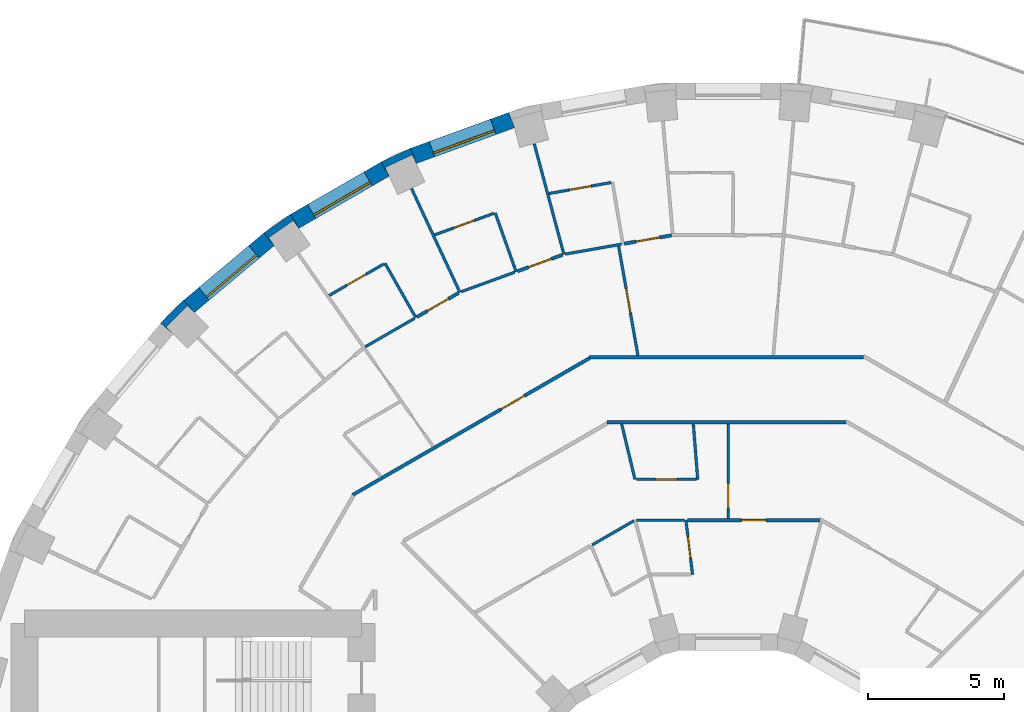
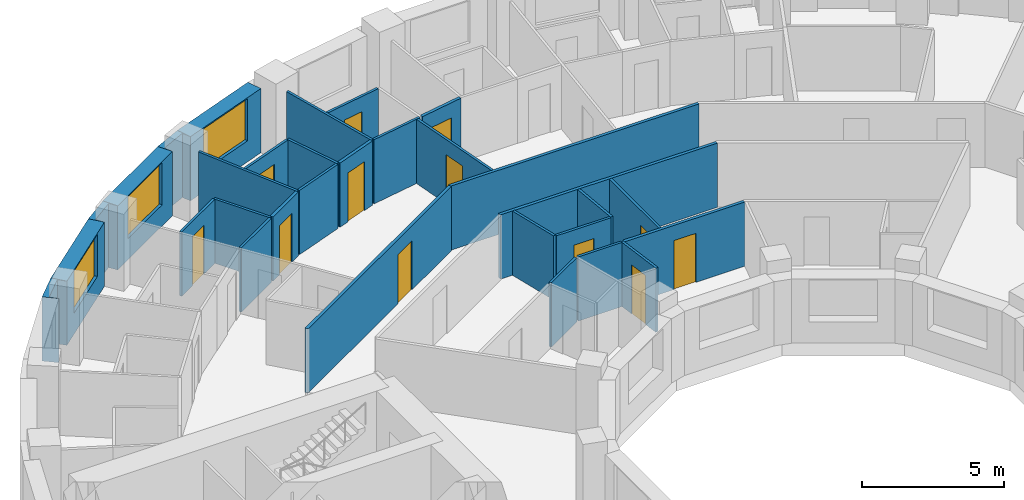
# One storey, part 11 of 15: 31 walls, 12 doors, 3 windows, 15 openings.
"""IFC4 building model written with IfcOpenShell, lengths in metres."""

from ifc_helpers import new_model, si_unit, direction, frame, frame_2d, origin, place, context, subcontext, project, spatial, polyline, rectangle, outline, extrude, material, layer, layer_set, type_object, element, fill, save


model = new_model("IFC4")

# Units and contexts
model_context = context("Model", 3, precision=1e-05, world=origin(), true_north=direction((0.0, 1.0)))
body_context = subcontext(model_context, "Body", "Model", "MODEL_VIEW")
ifc_project = project(units=[si_unit("LENGTHUNIT", "METRE"), si_unit("AREAUNIT", "SQUARE_METRE"), si_unit("VOLUMEUNIT", "CUBIC_METRE"), si_unit("PLANEANGLEUNIT", "RADIAN"), si_unit("MASSUNIT", "GRAM", prefix="KILO")], contexts=[model_context])

# Site, building, storey
site_placement = place(None, origin())
site = spatial("IfcSite", under=ifc_project, at=site_placement, CompositionType="ELEMENT")
building_placement = place(site_placement, origin())
building = spatial("IfcBuilding", under=site, at=building_placement, Name="Saqina Gate Tower", CompositionType="ELEMENT")
storey_placement = place(building_placement, frame((0.0, 0.0, 69.199951171875)))
storey = spatial("IfcBuildingStorey", under=building, at=storey_placement, Name="L19", CompositionType="ELEMENT", Elevation=69.199951171875)

# Walls
ifc_material_1 = material(Name="Brick masonry (red)", Category="masonry")
wall_type_1 = type_object("IfcWallType", Name="BRICK PIER COPING RED", PredefinedType="SOLIDWALL", material=ifc_material_1)
wall_1_placement = place(storey_placement, origin())
element("IfcWall", 1, at=wall_1_placement, inside=storey, type_object=wall_type_1, Name="Pier cap L19 column 12", PredefinedType="SOLIDWALL", context=body_context, shape_type="SweptSolid", body=[
    extrude(outline(polyline([(-12.779541015625, 25.980712890625), (-12.4794921875, 25.4609375), (-12.627685546875, 25.778564453125), (-11.630615234375, 26.243408203125), (-11.482666015625, 25.92578125), (-11.687744140625, 26.48974609375), (-12.779541015625, 25.980712890625)])), origin(), (0.0, 0.0, 1.0), 2.75),
])
wall_2_placement = place(storey_placement, origin())
element("IfcWall", 2, at=wall_2_placement, inside=storey, type_object=wall_type_1, Name="Pier cap L19 column 13", PredefinedType="SOLIDWALL", context=body_context, shape_type="SweptSolid", body=[
    extrude(outline(polyline([(-16.110107421875, 24.0576171875), (-17.096923828125, 23.36669921875), (-16.711181640625, 22.9072265625), (-16.912109375, 23.194091796875), (-16.010986328125, 23.8251953125), (-15.81005859375, 23.5380859375), (-16.110107421875, 24.0576171875)])), origin(), (0.0, 0.0, 1.0), 2.75),
])
wall_3_placement = place(storey_placement, origin())
element("IfcWall", 3, at=wall_3_placement, inside=storey, type_object=wall_type_1, Name="Pier cap L19 column 14", PredefinedType="SOLIDWALL", context=body_context, shape_type="SweptSolid", body=[
    extrude(outline(polyline([(-20.894775390625, 20.04296875), (-20.43505859375, 19.6572265625), (-20.682861328125, 19.905029296875), (-19.905029296875, 20.682861328125), (-19.6572265625, 20.43505859375), (-20.04296875, 20.894775390625), (-20.894775390625, 20.04296875)])), origin(), (0.0, 0.0, 1.0), 2.75),
])

# Wall, opening, window
ifc_material_2 = material(Name="Brick masonry (red)", Category="masonry")
ifc_layer_1 = layer(ifc_material_2, 0.60009765625)
ifc_layer_set_1 = layer_set([ifc_layer_1], Name="FW-BRICK-RED")
wall_type_2 = type_object("IfcWallType", Name="FW-BRICK-RED", PredefinedType="SOLIDWALL", material=ifc_layer_set_1)
wall_4_placement = place(storey_placement, frame((-7.97119140625, 27.523193359375, 0.0), z_axis=(0.0, 0.0, 1.0), x_axis=(-0.939689588564, -0.342028474173, 0.0)))
wall_4 = element("IfcWall", 4, at=wall_4_placement, inside=storey, type_object=wall_type_2, Name="Facade wall L19 facet 11", PredefinedType="SOLIDWALL", context=body_context, shape_type="SweptSolid", body=[
    extrude(rectangle(XDim=3.845947265625, YDim=0.60009765625, at=frame_2d((1.9228515625, 0.0))), origin(), (0.0, 0.0, 1.0), 2.75),
])
opening_1_placement = place(wall_4_placement, frame((0.722900390625, 0.0, 0.89990234375)))
opening_1 = element("IfcOpeningElement", 5, at=opening_1_placement, cuts=wall_4, Name="Opening G05-W05", PredefinedType="OPENING", context=body_context, shape_type="SweptSolid", body=[
    extrude(rectangle(XDim=2.39990234375, YDim=1.800048828125, at=frame_2d((1.199951171875, 0.89990234375))), frame((0.0, 0.31201171875, 0.0), z_axis=(0.0, -1.0, 0.0), x_axis=(1.0, 0.0, 0.0)), (0.0, 0.0, 1.0), 0.6240234375),
])
ifc_material_3 = material(Name="Aluminium glazing", Category="aluminium")
window_type = type_object("IfcWindowType", Name="WN-A", PartitioningType="SINGLE_PANEL", PredefinedType="WINDOW", material=ifc_material_3)
window_1_placement = place(opening_1_placement, origin())
window_1 = element("IfcWindow", 6, at=window_1_placement, inside=storey, type_object=window_type, Name="Window L19 facet 11", OverallHeight=1.800048828125, OverallWidth=2.39990234375, PartitioningType="SINGLE_PANEL", PredefinedType="WINDOW", context=body_context, shape_type="SweptSolid", body=[
    extrude(rectangle(XDim=2.39990234375, YDim=1.800048828125, at=frame_2d((1.199951171875, 0.89990234375))), frame((0.0, 0.179931640625, 0.0), z_axis=(0.0, -1.0, 0.0), x_axis=(1.0, 0.0, 0.0)), (0.0, 0.0, 1.0), 0.06005859375),
])
fill(opening_1, window_1)

wall_5_placement = place(storey_placement, frame((-12.629638671875, 25.720703125, 0.0), z_axis=(0.0, 0.0, 1.0), x_axis=(-0.86603124159, -0.499989888488, 0.0)))
wall_5 = element("IfcWall", 7, at=wall_5_placement, inside=storey, type_object=wall_type_2, Name="Facade wall L19 facet 12", PredefinedType="SOLIDWALL", context=body_context, shape_type="SweptSolid", body=[
    extrude(rectangle(XDim=3.845703125, YDim=0.60009765625, at=frame_2d((1.9228515625, 0.0))), origin(), (0.0, 0.0, 1.0), 2.75),
])
opening_2_placement = place(wall_5_placement, frame((0.722900390625, 0.0, 0.89990234375)))
opening_2 = element("IfcOpeningElement", 8, at=opening_2_placement, cuts=wall_5, Name="Opening G05-W06", PredefinedType="OPENING", context=body_context, shape_type="SweptSolid", body=[
    extrude(rectangle(XDim=2.39990234375, YDim=1.800048828125, at=frame_2d((1.199951171875, 0.89990234375))), frame((0.0, 0.31201171875, 0.0), z_axis=(0.0, -1.0, 0.0), x_axis=(1.0, 0.0, 0.0)), (0.0, 0.0, 1.0), 0.6240234375),
])
window_2_placement = place(opening_2_placement, origin())
window_2 = element("IfcWindow", 9, at=window_2_placement, inside=storey, type_object=window_type, Name="Window L19 facet 12", OverallHeight=1.800048828125, OverallWidth=2.39990234375, PartitioningType="SINGLE_PANEL", PredefinedType="WINDOW", context=body_context, shape_type="SweptSolid", body=[
    extrude(rectangle(XDim=2.39990234375, YDim=1.800048828125, at=frame_2d((1.199951171875, 0.89990234375))), frame((0.0, 0.179931640625, 0.0), z_axis=(0.0, -1.0, 0.0), x_axis=(1.0, 0.0, 0.0)), (0.0, 0.0, 1.0), 0.06005859375),
])
fill(opening_2, window_2)

wall_6_placement = place(storey_placement, frame((-16.904052734375, 23.136962890625, 0.0), z_axis=(0.0, 0.0, 1.0), x_axis=(-0.766026164483, -0.642809392687, 0.0)))
wall_6 = element("IfcWall", 10, at=wall_6_placement, inside=storey, type_object=wall_type_2, Name="Facade wall L19 facet 13", PredefinedType="SOLIDWALL", context=body_context, shape_type="SweptSolid", body=[
    extrude(rectangle(XDim=3.845947265625, YDim=0.60009765625, at=frame_2d((1.9228515625, 0.0))), origin(), (0.0, 0.0, 1.0), 2.75),
])
opening_3_placement = place(wall_6_placement, frame((0.722900390625, 0.0, 0.89990234375)))
opening_3 = element("IfcOpeningElement", 11, at=opening_3_placement, cuts=wall_6, Name="Opening G05-W07", PredefinedType="OPENING", context=body_context, shape_type="SweptSolid", body=[
    extrude(rectangle(XDim=2.39990234375, YDim=1.800048828125, at=frame_2d((1.199951171875, 0.89990234375))), frame((0.0, 0.31201171875, 0.0), z_axis=(0.0, -1.0, 0.0), x_axis=(1.0, 0.0, 0.0)), (0.0, 0.0, 1.0), 0.6240234375),
])
window_3_placement = place(opening_3_placement, origin())
window_3 = element("IfcWindow", 12, at=window_3_placement, inside=storey, type_object=window_type, Name="Window L19 facet 13", OverallHeight=1.800048828125, OverallWidth=2.39990234375, PartitioningType="SINGLE_PANEL", PredefinedType="WINDOW", context=body_context, shape_type="SweptSolid", body=[
    extrude(rectangle(XDim=2.39990234375, YDim=1.800048828125, at=frame_2d((1.199951171875, 0.89990234375))), frame((0.0, 0.179931640625, 0.0), z_axis=(0.0, -1.0, 0.0), x_axis=(1.0, 0.0, 0.0)), (0.0, 0.0, 1.0), 0.06005859375),
])
fill(opening_3, window_3)

# Wall
ifc_material_4 = material(Name="Gypsum board on steel studs, 100 mm", Category="steel")
ifc_layer_2 = layer(ifc_material_4, 0.10009765625)
ifc_layer_set_2 = layer_set([ifc_layer_2], Name="PARTITION 100")
wall_type_3 = type_object("IfcWallType", Name="PARTITION 100", PredefinedType="PARTITIONING", material=ifc_layer_set_2)
wall_7_placement = place(storey_placement, frame((-1.2861328125, 16.337646484375, 0.0), z_axis=(0.0, 0.0, 1.0), x_axis=(0.07883368514, -0.996887782093, 0.0)))
element("IfcWall", 13, at=wall_7_placement, inside=storey, type_object=wall_type_3, Name="PARTITION PW3-03", PredefinedType="PARTITIONING", context=body_context, shape_type="SweptSolid", body=[
    extrude(rectangle(XDim=2.0439453125, YDim=0.10009765625, at=frame_2d((1.02197265625, 0.0))), origin(), (0.0, 0.0, 1.0), 2.75),
])

# Wall, opening, door
wall_8_placement = place(storey_placement, frame((-1.55908203125, 12.800048828125, 0.0), z_axis=(0.0, 0.0, 1.0), x_axis=(0.1211708576, -0.992631665457, 0.0)))
wall_8 = element("IfcWall", 14, at=wall_8_placement, inside=storey, type_object=wall_type_3, Name="PARTITION PW3-07", PredefinedType="PARTITIONING", context=body_context, shape_type="SweptSolid", body=[
    extrude(rectangle(XDim=2.014892578125, YDim=0.10009765625, at=frame_2d((1.00732421875, 0.0))), origin(), (0.0, 0.0, 1.0), 2.75),
])
opening_4_placement = place(wall_8_placement, frame((0.607421875, 0.0, 0.0)))
opening_4 = element("IfcOpeningElement", 15, at=opening_4_placement, cuts=wall_8, Name="Opening G05-D15", PredefinedType="OPENING", context=body_context, shape_type="SweptSolid", body=[
    extrude(rectangle(XDim=0.800048828125, YDim=2.10009765625, at=frame_2d((0.39990234375, 1.050048828125))), frame((0.0, 0.06201171875, 0.0), z_axis=(0.0, -1.0, 0.0), x_axis=(1.0, 0.0, 0.0)), (0.0, 0.0, 1.0), 0.1240234375),
])
ifc_material_5 = material(Name="Timber door leaf, 800 mm", Category="wood")
door_type_1 = type_object("IfcDoorType", Name="DOOR 800 TIMBER", OperationType="SINGLE_SWING_LEFT", PredefinedType="DOOR", material=ifc_material_5)
door_1_placement = place(opening_4_placement, origin())
door_1 = element("IfcDoor", 16, at=door_1_placement, inside=storey, type_object=door_type_1, Name="DOOR G05-D15", OperationType="SINGLE_SWING_LEFT", OverallHeight=2.10009765625, OverallWidth=0.800048828125, PredefinedType="DOOR", context=body_context, shape_type="SweptSolid", body=[
    extrude(rectangle(XDim=0.800048828125, YDim=2.10009765625, at=frame_2d((0.39990234375, 1.050048828125))), frame((0.0, 0.02490234375, 0.0), z_axis=(0.0, -1.0, 0.0), x_axis=(1.0, 0.0, 0.0)), (0.0, 0.0, 1.0), 0.050048828125),
])
fill(opening_4, door_1)

wall_9_placement = place(storey_placement, frame((-4.035400390625, 22.88671875, 0.0), z_axis=(0.0, 0.0, 1.0), x_axis=(0.173584282426, -0.98481901733, 0.0)))
wall_9 = element("IfcWall", 17, at=wall_9_placement, inside=storey, type_object=wall_type_3, Name="PARTITION PW3-09", PredefinedType="PARTITIONING", context=body_context, shape_type="SweptSolid", body=[
    extrude(rectangle(XDim=4.087158203125, YDim=0.10009765625, at=frame_2d((2.04345703125, 0.0))), origin(), (0.0, 0.0, 1.0), 2.75),
])
opening_5_placement = place(wall_9_placement, frame((1.599853515625, 0.0, 0.0)))
opening_5 = element("IfcOpeningElement", 18, at=opening_5_placement, cuts=wall_9, Name="Opening G05-D18", PredefinedType="OPENING", context=body_context, shape_type="SweptSolid", body=[
    extrude(rectangle(XDim=0.89990234375, YDim=2.10009765625, at=frame_2d((0.449951171875, 1.050048828125))), frame((0.0, 0.06201171875, 0.0), z_axis=(0.0, -1.0, 0.0), x_axis=(1.0, 0.0, 0.0)), (0.0, 0.0, 1.0), 0.1240234375),
])
ifc_material_6 = material(Name="Timber door leaf, 900 mm", Category="wood")
door_type_2 = type_object("IfcDoorType", Name="DOOR 900 TIMBER", OperationType="SINGLE_SWING_LEFT", PredefinedType="DOOR", material=ifc_material_6)
door_2_placement = place(opening_5_placement, frame((0.89990234375, 0.0, 0.0), z_axis=(0.0, 0.0, 1.0), x_axis=(-1.0, 0.0, 0.0)))
door_2 = element("IfcDoor", 19, at=door_2_placement, inside=storey, type_object=door_type_2, Name="DOOR G05-D18", OperationType="SINGLE_SWING_LEFT", OverallHeight=2.10009765625, OverallWidth=0.89990234375, PredefinedType="DOOR", context=body_context, shape_type="SweptSolid", body=[
    extrude(rectangle(XDim=0.89990234375, YDim=2.10009765625, at=frame_2d((0.449951171875, 1.050048828125))), frame((0.0, 0.02490234375, 0.0), z_axis=(0.0, -1.0, 0.0), x_axis=(1.0, 0.0, 0.0)), (0.0, 0.0, 1.0), 0.050048828125),
])
fill(opening_5, door_2)

# Walls
wall_10_placement = place(storey_placement, frame((-3.92431640625, 16.339111328125, 0.0), z_axis=(0.0, 0.0, 1.0), x_axis=(0.233760395351, -0.972294234049, 0.0)))
element("IfcWall", 20, at=wall_10_placement, inside=storey, type_object=wall_type_3, Name="PARTITION PW3-11", PredefinedType="PARTITIONING", context=body_context, shape_type="SweptSolid", body=[
    extrude(rectangle(XDim=2.09716796875, YDim=0.10009765625, at=frame_2d((1.048583984375, 0.0))), origin(), (0.0, 0.0, 1.0), 2.75),
])
wall_11_placement = place(storey_placement, frame((-7.14013671875, 26.650146484375, 0.0), z_axis=(0.0, 0.0, 1.0), x_axis=(0.258611481132, -0.965981418986, 0.0)))
element("IfcWall", 21, at=wall_11_placement, inside=storey, type_object=wall_type_3, Name="PARTITION PW3-12", PredefinedType="PARTITIONING", context=body_context, shape_type="SweptSolid", body=[
    extrude(rectangle(XDim=4.21142578125, YDim=0.10009765625, at=frame_2d((2.105712890625, 0.0))), origin(), (0.0, 0.0, 1.0), 2.75),
])
wall_12_placement = place(storey_placement, frame((-8.5791015625, 24.10888671875, 0.0), z_axis=(0.0, 0.0, 1.0), x_axis=(0.335206501266, -0.942144681835, 0.0)))
element("IfcWall", 22, at=wall_12_placement, inside=storey, type_object=wall_type_3, Name="PARTITION PW3-15", PredefinedType="PARTITIONING", context=body_context, shape_type="SweptSolid", body=[
    extrude(rectangle(XDim=2.300048828125, YDim=0.10009765625, at=frame_2d((1.14990234375, 0.0))), origin(), (0.0, 0.0, 1.0), 2.75),
])
wall_13_placement = place(storey_placement, frame((-11.659912109375, 25.005126953125, 0.0), z_axis=(0.0, 0.0, 1.0), x_axis=(0.422631582156, -0.906301575506, 0.0)))
element("IfcWall", 23, at=wall_13_placement, inside=storey, type_object=wall_type_3, Name="PARTITION PW3-19", PredefinedType="PARTITIONING", context=body_context, shape_type="SweptSolid", body=[
    extrude(rectangle(XDim=4.211669921875, YDim=0.10009765625, at=frame_2d((2.10595703125, 0.0))), origin(), (0.0, 0.0, 1.0), 2.75),
])
wall_14_placement = place(storey_placement, frame((-12.635009765625, 22.2529296875, 0.0), z_axis=(0.0, 0.0, 1.0), x_axis=(0.493564284385, -0.869709317634, 0.0)))
element("IfcWall", 24, at=wall_14_placement, inside=storey, type_object=wall_type_3, Name="PARTITION PW3-21", PredefinedType="PARTITIONING", context=body_context, shape_type="SweptSolid", body=[
    extrude(rectangle(XDim=2.299560546875, YDim=0.10009765625, at=frame_2d((1.14990234375, 0.0))), origin(), (0.0, 0.0, 1.0), 2.75),
])
wall_15_placement = place(storey_placement, frame((-3.3798828125, 12.800048828125, 0.0), z_axis=(0.0, 0.0, 1.0), x_axis=(1.0, 0.0, 0.0)))
element("IfcWall", 25, at=wall_15_placement, inside=storey, type_object=wall_type_3, Name="PARTITION PW3-63", PredefinedType="PARTITIONING", context=body_context, shape_type="SweptSolid", body=[
    extrude(rectangle(XDim=1.77099609375, YDim=0.10009765625, at=frame_2d((0.885498046875, 0.0))), origin(), (0.0, 0.0, 1.0), 2.75),
])

# Wall, opening, door
wall_16_placement = place(storey_placement, frame((-3.384033203125, 14.300048828125, 0.0), z_axis=(0.0, 0.0, 1.0), x_axis=(1.0, 0.0, 0.0)))
wall_16 = element("IfcWall", 26, at=wall_16_placement, inside=storey, type_object=wall_type_3, Name="PARTITION PW3-64", PredefinedType="PARTITIONING", context=body_context, shape_type="SweptSolid", body=[
    extrude(rectangle(XDim=2.208984375, YDim=0.10009765625, at=frame_2d((1.1044921875, 0.0))), origin(), (0.0, 0.0, 1.0), 2.75),
])
opening_6_placement = place(wall_16_placement, frame((0.70458984375, 0.0, 0.0)))
opening_6 = element("IfcOpeningElement", 27, at=opening_6_placement, cuts=wall_16, Name="Opening G05-D17", PredefinedType="OPENING", context=body_context, shape_type="SweptSolid", body=[
    extrude(rectangle(XDim=0.800048828125, YDim=2.10009765625, at=frame_2d((0.39990234375, 1.050048828125))), frame((0.0, 0.06201171875, 0.0), z_axis=(0.0, -1.0, 0.0), x_axis=(1.0, 0.0, 0.0)), (0.0, 0.0, 1.0), 0.1240234375),
])
door_3_placement = place(opening_6_placement, frame((0.800048828125, 0.0, 0.0), z_axis=(0.0, 0.0, 1.0), x_axis=(-1.0, 0.0, 0.0)))
door_3 = element("IfcDoor", 28, at=door_3_placement, inside=storey, type_object=door_type_1, Name="DOOR G05-D17", OperationType="SINGLE_SWING_LEFT", OverallHeight=2.10009765625, OverallWidth=0.800048828125, PredefinedType="DOOR", context=body_context, shape_type="SweptSolid", body=[
    extrude(rectangle(XDim=0.800048828125, YDim=2.10009765625, at=frame_2d((0.39990234375, 1.050048828125))), frame((0.0, 0.02490234375, 0.0), z_axis=(0.0, -1.0, 0.0), x_axis=(1.0, 0.0, 0.0)), (0.0, 0.0, 1.0), 0.050048828125),
])
fill(opening_6, door_3)

# Wall
wall_17_placement = place(storey_placement, frame((-6.001708984375, 22.590576171875, 0.0), z_axis=(0.0, 0.0, 1.0), x_axis=(0.984798730273, 0.173699340392, 0.0)))
element("IfcWall", 29, at=wall_17_placement, inside=storey, type_object=wall_type_3, Name="PARTITION PW3-69", PredefinedType="PARTITIONING", context=body_context, shape_type="SweptSolid", body=[
    extrude(rectangle(XDim=2.10546875, YDim=0.10009765625, at=frame_2d((1.052734375, 0.0))), origin(), (0.0, 0.0, 1.0), 2.75),
])

# Wall, opening, door
wall_18_placement = place(storey_placement, frame((-6.598876953125, 24.82080078125, 0.0), z_axis=(0.0, 0.0, 1.0), x_axis=(0.984793079882, 0.173731372577, 0.0)))
wall_18 = element("IfcWall", 30, at=wall_18_placement, inside=storey, type_object=wall_type_3, Name="PARTITION PW3-70", PredefinedType="PARTITIONING", context=body_context, shape_type="SweptSolid", body=[
    extrude(rectangle(XDim=2.322998046875, YDim=0.10009765625, at=frame_2d((1.16162109375, 0.0))), origin(), (0.0, 0.0, 1.0), 2.75),
])
opening_7_placement = place(wall_18_placement, frame((0.761474609375, 0.0, 0.0)))
opening_7 = element("IfcOpeningElement", 31, at=opening_7_placement, cuts=wall_18, Name="Opening G05-D19", PredefinedType="OPENING", context=body_context, shape_type="SweptSolid", body=[
    extrude(rectangle(XDim=0.800048828125, YDim=2.10009765625, at=frame_2d((0.39990234375, 1.050048828125))), frame((0.0, 0.06201171875, 0.0), z_axis=(0.0, -1.0, 0.0), x_axis=(1.0, 0.0, 0.0)), (0.0, 0.0, 1.0), 0.1240234375),
])
door_4_placement = place(opening_7_placement, origin())
door_4 = element("IfcDoor", 32, at=door_4_placement, inside=storey, type_object=door_type_1, Name="DOOR G05-D19", OperationType="SINGLE_SWING_LEFT", OverallHeight=2.10009765625, OverallWidth=0.800048828125, PredefinedType="DOOR", context=body_context, shape_type="SweptSolid", body=[
    extrude(rectangle(XDim=0.800048828125, YDim=2.10009765625, at=frame_2d((0.39990234375, 1.050048828125))), frame((0.0, 0.02490234375, 0.0), z_axis=(0.0, -1.0, 0.0), x_axis=(1.0, 0.0, 0.0)), (0.0, 0.0, 1.0), 0.050048828125),
])
fill(opening_7, door_4)

# Wall
wall_19_placement = place(storey_placement, frame((-9.8330078125, 21.205078125, 0.0), z_axis=(0.0, 0.0, 1.0), x_axis=(0.939725675468, 0.341929312674, 0.0)))
element("IfcWall", 33, at=wall_19_placement, inside=storey, type_object=wall_type_3, Name="PARTITION PW3-73", PredefinedType="PARTITIONING", context=body_context, shape_type="SweptSolid", body=[
    extrude(rectangle(XDim=2.10498046875, YDim=0.10009765625, at=frame_2d((1.052490234375, 0.0))), origin(), (0.0, 0.0, 1.0), 2.75),
])

# Wall, opening, door
wall_20_placement = place(storey_placement, frame((-10.808837890625, 23.298095703125, 0.0), z_axis=(0.0, 0.0, 1.0), x_axis=(0.939802630001, 0.341717744115, 0.0)))
wall_20 = element("IfcWall", 34, at=wall_20_placement, inside=storey, type_object=wall_type_3, Name="PARTITION PW3-74", PredefinedType="PARTITIONING", context=body_context, shape_type="SweptSolid", body=[
    extrude(rectangle(XDim=2.32275390625, YDim=0.10009765625, at=frame_2d((1.161376953125, 0.0))), origin(), (0.0, 0.0, 1.0), 2.75),
])
opening_8_placement = place(wall_20_placement, frame((0.76123046875, 0.0, 0.0)))
opening_8 = element("IfcOpeningElement", 35, at=opening_8_placement, cuts=wall_20, Name="Opening G05-D21", PredefinedType="OPENING", context=body_context, shape_type="SweptSolid", body=[
    extrude(rectangle(XDim=0.800048828125, YDim=2.10009765625, at=frame_2d((0.39990234375, 1.050048828125))), frame((0.0, 0.06201171875, 0.0), z_axis=(0.0, -1.0, 0.0), x_axis=(1.0, 0.0, 0.0)), (0.0, 0.0, 1.0), 0.1240234375),
])
door_5_placement = place(opening_8_placement, origin())
door_5 = element("IfcDoor", 36, at=door_5_placement, inside=storey, type_object=door_type_1, Name="DOOR G05-D21", OperationType="SINGLE_SWING_LEFT", OverallHeight=2.10009765625, OverallWidth=0.800048828125, PredefinedType="DOOR", context=body_context, shape_type="SweptSolid", body=[
    extrude(rectangle(XDim=0.800048828125, YDim=2.10009765625, at=frame_2d((0.39990234375, 1.050048828125))), frame((0.0, 0.02490234375, 0.0), z_axis=(0.0, -1.0, 0.0), x_axis=(1.0, 0.0, 0.0)), (0.0, 0.0, 1.0), 0.050048828125),
])
fill(opening_8, door_5)

# Walls
wall_21_placement = place(storey_placement, frame((-5.006591796875, 11.888916015625, 0.0), z_axis=(0.0, 0.0, 1.0), x_axis=(0.865831892385, 0.500335021889, 0.0)))
element("IfcWall", 37, at=wall_21_placement, inside=storey, type_object=wall_type_3, Name="PARTITION PW3-79", PredefinedType="PARTITIONING", context=body_context, shape_type="SweptSolid", body=[
    extrude(rectangle(XDim=1.770751953125, YDim=0.10009765625, at=frame_2d((0.88525390625, 0.0))), origin(), (0.0, 0.0, 1.0), 2.75),
])
wall_22_placement = place(storey_placement, frame((-13.36572265625, 19.176025390625, 0.0), z_axis=(0.0, 0.0, 1.0), x_axis=(0.866071606143, 0.499919966627, 0.0)))
element("IfcWall", 38, at=wall_22_placement, inside=storey, type_object=wall_type_3, Name="PARTITION PW3-81", PredefinedType="PARTITIONING", context=body_context, shape_type="SweptSolid", body=[
    extrude(rectangle(XDim=2.104248046875, YDim=0.10009765625, at=frame_2d((1.05224609375, 0.0))), origin(), (0.0, 0.0, 1.0), 2.75),
])

# Wall, opening, door
wall_23_placement = place(storey_placement, frame((-14.690673828125, 21.06689453125, 0.0), z_axis=(0.0, 0.0, 1.0), x_axis=(0.866166342301, 0.499755807835, 0.0)))
wall_23 = element("IfcWall", 39, at=wall_23_placement, inside=storey, type_object=wall_type_3, Name="PARTITION PW3-82", PredefinedType="PARTITIONING", context=body_context, shape_type="SweptSolid", body=[
    extrude(rectangle(XDim=2.323486328125, YDim=0.10009765625, at=frame_2d((1.16162109375, 0.0))), origin(), (0.0, 0.0, 1.0), 2.75),
])
opening_9_placement = place(wall_23_placement, frame((0.76171875, 0.0, 0.0)))
opening_9 = element("IfcOpeningElement", 40, at=opening_9_placement, cuts=wall_23, Name="Opening G05-D26", PredefinedType="OPENING", context=body_context, shape_type="SweptSolid", body=[
    extrude(rectangle(XDim=0.800048828125, YDim=2.10009765625, at=frame_2d((0.39990234375, 1.050048828125))), frame((0.0, 0.06201171875, 0.0), z_axis=(0.0, -1.0, 0.0), x_axis=(1.0, 0.0, 0.0)), (0.0, 0.0, 1.0), 0.1240234375),
])
door_6_placement = place(opening_9_placement, origin())
door_6 = element("IfcDoor", 41, at=door_6_placement, inside=storey, type_object=door_type_1, Name="DOOR G05-D26", OperationType="SINGLE_SWING_LEFT", OverallHeight=2.10009765625, OverallWidth=0.800048828125, PredefinedType="DOOR", context=body_context, shape_type="SweptSolid", body=[
    extrude(rectangle(XDim=0.800048828125, YDim=2.10009765625, at=frame_2d((0.39990234375, 1.050048828125))), frame((0.0, 0.02490234375, 0.0), z_axis=(0.0, -1.0, 0.0), x_axis=(1.0, 0.0, 0.0)), (0.0, 0.0, 1.0), 0.050048828125),
])
fill(opening_9, door_6)

wall_24_placement = place(storey_placement, frame((0.0, 12.862548828125, 0.0), z_axis=(0.0, 0.0, 1.0), x_axis=(0.0, 1.0, 0.0)))
wall_24 = element("IfcWall", 42, at=wall_24_placement, inside=storey, type_object=wall_type_3, Name="PARTITION PW3-115", PredefinedType="PARTITIONING", context=body_context, shape_type="SweptSolid", body=[
    extrude(rectangle(XDim=3.474853515625, YDim=0.10009765625, at=frame_2d((1.7373046875, 0.0))), origin(), (0.0, 0.0, 1.0), 2.75),
])
opening_10_placement = place(wall_24_placement, frame((0.387451171875, 0.0, 0.0)))
opening_10 = element("IfcOpeningElement", 43, at=opening_10_placement, cuts=wall_24, Name="Opening G05-D13", PredefinedType="OPENING", context=body_context, shape_type="SweptSolid", body=[
    extrude(rectangle(XDim=0.89990234375, YDim=2.10009765625, at=frame_2d((0.449951171875, 1.050048828125))), frame((0.0, 0.06201171875, 0.0), z_axis=(0.0, -1.0, 0.0), x_axis=(1.0, 0.0, 0.0)), (0.0, 0.0, 1.0), 0.1240234375),
])
door_7_placement = place(opening_10_placement, origin())
door_7 = element("IfcDoor", 44, at=door_7_placement, inside=storey, type_object=door_type_2, Name="DOOR G05-D13", OperationType="SINGLE_SWING_LEFT", OverallHeight=2.10009765625, OverallWidth=0.89990234375, PredefinedType="DOOR", context=body_context, shape_type="SweptSolid", body=[
    extrude(rectangle(XDim=0.89990234375, YDim=2.10009765625, at=frame_2d((0.449951171875, 1.050048828125))), frame((0.0, 0.02490234375, 0.0), z_axis=(0.0, -1.0, 0.0), x_axis=(1.0, 0.0, 0.0)), (0.0, 0.0, 1.0), 0.050048828125),
])
fill(opening_10, door_7)

ifc_material_7 = material(Name="Gypsum board on steel studs, 125 mm, fire rated", Category="steel")
ifc_layer_3 = layer(ifc_material_7, 0.125)
ifc_layer_set_3 = layer_set([ifc_layer_3], Name="PARTITION EI 30 125")
wall_type_4 = type_object("IfcWallType", Name="PARTITION EI 30 125", PredefinedType="PARTITIONING", material=ifc_layer_set_3)
wall_25_placement = place(storey_placement, frame((-1.509033203125, 12.800048828125, 0.0), z_axis=(0.0, 0.0, 1.0), x_axis=(1.0, 0.0, 0.0)))
wall_25 = element("IfcWall", 45, at=wall_25_placement, inside=storey, type_object=wall_type_4, Name="PARTITION PW1-23", PredefinedType="PARTITIONING", context=body_context, shape_type="SweptSolid", body=[
    extrude(rectangle(XDim=4.87646484375, YDim=0.125, at=frame_2d((2.438232421875, 0.0))), origin(), (0.0, 0.0, 1.0), 2.75),
])
opening_11_placement = place(wall_25_placement, frame((1.994384765625, 0.0, 0.0)))
opening_11 = element("IfcOpeningElement", 46, at=opening_11_placement, cuts=wall_25, Name="Opening G05-D11", PredefinedType="OPENING", context=body_context, shape_type="SweptSolid", body=[
    extrude(rectangle(XDim=0.89990234375, YDim=2.10009765625, at=frame_2d((0.449951171875, 1.050048828125))), frame((0.0, 0.074462890625, 0.0), z_axis=(0.0, -1.0, 0.0), x_axis=(1.0, 0.0, 0.0)), (0.0, 0.0, 1.0), 0.14892578125),
])
ifc_material_8 = material(Name="Fire door leaf EI 30, 900 mm")
door_type_3 = type_object("IfcDoorType", Name="DOOR 900 EI 30", OperationType="SINGLE_SWING_LEFT", PredefinedType="DOOR", material=ifc_material_8)
door_8_placement = place(opening_11_placement, origin())
door_8 = element("IfcDoor", 47, at=door_8_placement, inside=storey, type_object=door_type_3, Name="DOOR G05-D11", OperationType="SINGLE_SWING_LEFT", OverallHeight=2.10009765625, OverallWidth=0.89990234375, PredefinedType="DOOR", context=body_context, shape_type="SweptSolid", body=[
    extrude(rectangle(XDim=0.89990234375, YDim=2.10009765625, at=frame_2d((0.449951171875, 1.050048828125))), frame((0.0, 0.02490234375, 0.0), z_axis=(0.0, -1.0, 0.0), x_axis=(1.0, 0.0, 0.0)), (0.0, 0.0, 1.0), 0.050048828125),
])
fill(opening_11, door_8)

# Walls
wall_26_placement = place(storey_placement, frame((-4.466064453125, 16.39990234375, 0.0), z_axis=(0.0, 0.0, 1.0), x_axis=(1.0, 0.0, 0.0)))
element("IfcWall", 48, at=wall_26_placement, inside=storey, type_object=wall_type_4, Name="PARTITION PW1-24", PredefinedType="PARTITIONING", context=body_context, shape_type="SweptSolid", body=[
    extrude(rectangle(XDim=8.797607421875, YDim=0.125, at=frame_2d((4.39892578125, 0.0))), origin(), (0.0, 0.0, 1.0), 2.75),
])
wall_27_placement = place(storey_placement, frame((-5.109130859375, 18.800048828125, 0.0), z_axis=(0.0, 0.0, 1.0), x_axis=(1.0, 0.0, 0.0)))
element("IfcWall", 49, at=wall_27_placement, inside=storey, type_object=wall_type_4, Name="PARTITION PW1-25", PredefinedType="PARTITIONING", context=body_context, shape_type="SweptSolid", body=[
    extrude(rectangle(XDim=10.083740234375, YDim=0.125, at=frame_2d((5.0419921875, 0.0))), origin(), (0.0, 0.0, 1.0), 2.75),
])

# Wall, opening, door
wall_28_placement = place(storey_placement, frame((-3.829833984375, 22.9736328125, 0.0), z_axis=(0.0, 0.0, 1.0), x_axis=(0.98477522439, 0.17383255572, 0.0)))
wall_28 = element("IfcWall", 50, at=wall_28_placement, inside=storey, type_object=wall_type_4, Name="PARTITION PW1-28", PredefinedType="PARTITIONING", context=body_context, shape_type="SweptSolid", body=[
    extrude(rectangle(XDim=1.76953125, YDim=0.125, at=frame_2d((0.884765625, 0.0))), origin(), (0.0, 0.0, 1.0), 2.75),
])
opening_12_placement = place(wall_28_placement, frame((0.434814453125, 0.0, 0.0)))
opening_12 = element("IfcOpeningElement", 51, at=opening_12_placement, cuts=wall_28, Name="Opening G05-D16", PredefinedType="OPENING", context=body_context, shape_type="SweptSolid", body=[
    extrude(rectangle(XDim=0.89990234375, YDim=2.10009765625, at=frame_2d((0.449951171875, 1.050048828125))), frame((0.0, 0.074462890625, 0.0), z_axis=(0.0, -1.0, 0.0), x_axis=(1.0, 0.0, 0.0)), (0.0, 0.0, 1.0), 0.14892578125),
])
door_9_placement = place(opening_12_placement, frame((0.89990234375, 0.0, 0.0), z_axis=(0.0, 0.0, 1.0), x_axis=(-1.0, 0.0, 0.0)))
door_9 = element("IfcDoor", 52, at=door_9_placement, inside=storey, type_object=door_type_3, Name="DOOR G05-D16", OperationType="SINGLE_SWING_LEFT", OverallHeight=2.10009765625, OverallWidth=0.89990234375, PredefinedType="DOOR", context=body_context, shape_type="SweptSolid", body=[
    extrude(rectangle(XDim=0.89990234375, YDim=2.10009765625, at=frame_2d((0.449951171875, 1.050048828125))), frame((0.0, 0.02490234375, 0.0), z_axis=(0.0, -1.0, 0.0), x_axis=(1.0, 0.0, 0.0)), (0.0, 0.0, 1.0), 0.050048828125),
])
fill(opening_12, door_9)

wall_29_placement = place(storey_placement, frame((-7.760986328125, 21.959228515625, 0.0), z_axis=(0.0, 0.0, 1.0), x_axis=(0.939620127684, 0.342219250849, 0.0)))
wall_29 = element("IfcWall", 53, at=wall_29_placement, inside=storey, type_object=wall_type_4, Name="PARTITION PW1-30", PredefinedType="PARTITIONING", context=body_context, shape_type="SweptSolid", body=[
    extrude(rectangle(XDim=1.77001953125, YDim=0.125, at=frame_2d((0.885009765625, 0.0))), origin(), (0.0, 0.0, 1.0), 2.75),
])
opening_13_placement = place(wall_29_placement, frame((0.43505859375, 0.0, 0.0)))
opening_13 = element("IfcOpeningElement", 54, at=opening_13_placement, cuts=wall_29, Name="Opening G05-D20", PredefinedType="OPENING", context=body_context, shape_type="SweptSolid", body=[
    extrude(rectangle(XDim=0.89990234375, YDim=2.10009765625, at=frame_2d((0.449951171875, 1.050048828125))), frame((0.0, 0.074462890625, 0.0), z_axis=(0.0, -1.0, 0.0), x_axis=(1.0, 0.0, 0.0)), (0.0, 0.0, 1.0), 0.14892578125),
])
door_10_placement = place(opening_13_placement, frame((0.89990234375, 0.0, 0.0), z_axis=(0.0, 0.0, 1.0), x_axis=(-1.0, 0.0, 0.0)))
door_10 = element("IfcDoor", 55, at=door_10_placement, inside=storey, type_object=door_type_3, Name="DOOR G05-D20", OperationType="SINGLE_SWING_LEFT", OverallHeight=2.10009765625, OverallWidth=0.89990234375, PredefinedType="DOOR", context=body_context, shape_type="SweptSolid", body=[
    extrude(rectangle(XDim=0.89990234375, YDim=2.10009765625, at=frame_2d((0.449951171875, 1.050048828125))), frame((0.0, 0.02490234375, 0.0), z_axis=(0.0, -1.0, 0.0), x_axis=(1.0, 0.0, 0.0)), (0.0, 0.0, 1.0), 0.050048828125),
])
fill(opening_13, door_10)

wall_30_placement = place(storey_placement, frame((-13.825439453125, 13.726806640625, 0.0), z_axis=(0.0, 0.0, 1.0), x_axis=(0.866059817553, 0.499940388867, 0.0)))
wall_30 = element("IfcWall", 56, at=wall_30_placement, inside=storey, type_object=wall_type_4, Name="PARTITION PW1-36", PredefinedType="PARTITIONING", context=body_context, shape_type="SweptSolid", body=[
    extrude(rectangle(XDim=10.085205078125, YDim=0.125, at=frame_2d((5.04248046875, 0.0))), origin(), (0.0, 0.0, 1.0), 2.75),
])
opening_14_placement = place(wall_30_placement, frame((6.30615234375, 0.0, 0.0)))
opening_14 = element("IfcOpeningElement", 57, at=opening_14_placement, cuts=wall_30, Name="Opening G05-D23", PredefinedType="OPENING", context=body_context, shape_type="SweptSolid", body=[
    extrude(rectangle(XDim=1.0, YDim=2.10009765625, at=frame_2d((0.5, 1.050048828125))), frame((0.0, 0.074462890625, 0.0), z_axis=(0.0, -1.0, 0.0), x_axis=(1.0, 0.0, 0.0)), (0.0, 0.0, 1.0), 0.14892578125),
])
ifc_material_9 = material(Name="Fire door leaf EI 30, 1000 mm")
door_type_4 = type_object("IfcDoorType", Name="DOOR 1000 EI 30", OperationType="SINGLE_SWING_LEFT", PredefinedType="DOOR", material=ifc_material_9)
door_11_placement = place(opening_14_placement, origin())
door_11 = element("IfcDoor", 58, at=door_11_placement, inside=storey, type_object=door_type_4, Name="DOOR G05-D23", OperationType="SINGLE_SWING_RIGHT", OverallHeight=2.10009765625, OverallWidth=1.0, PredefinedType="DOOR", context=body_context, shape_type="SweptSolid", body=[
    extrude(rectangle(XDim=1.0, YDim=2.10009765625, at=frame_2d((0.5, 1.050048828125))), frame((0.0, 0.02490234375, 0.0), z_axis=(0.0, -1.0, 0.0), x_axis=(1.0, 0.0, 0.0)), (0.0, 0.0, 1.0), 0.050048828125),
])
fill(opening_14, door_11)

wall_31_placement = place(storey_placement, frame((-11.456787109375, 20.278076171875, 0.0), z_axis=(0.0, 0.0, 1.0), x_axis=(0.86610522661, 0.499861717316, 0.0)))
wall_31 = element("IfcWall", 59, at=wall_31_placement, inside=storey, type_object=wall_type_4, Name="PARTITION PW1-37", PredefinedType="PARTITIONING", context=body_context, shape_type="SweptSolid", body=[
    extrude(rectangle(XDim=1.7705078125, YDim=0.125, at=frame_2d((0.88525390625, 0.0))), origin(), (0.0, 0.0, 1.0), 2.75),
])
opening_15_placement = place(wall_31_placement, frame((0.435302734375, 0.0, 0.0)))
opening_15 = element("IfcOpeningElement", 60, at=opening_15_placement, cuts=wall_31, Name="Opening G05-D24", PredefinedType="OPENING", context=body_context, shape_type="SweptSolid", body=[
    extrude(rectangle(XDim=0.89990234375, YDim=2.10009765625, at=frame_2d((0.449951171875, 1.050048828125))), frame((0.0, 0.074462890625, 0.0), z_axis=(0.0, -1.0, 0.0), x_axis=(1.0, 0.0, 0.0)), (0.0, 0.0, 1.0), 0.14892578125),
])
door_12_placement = place(opening_15_placement, frame((0.89990234375, 0.0, 0.0), z_axis=(0.0, 0.0, 1.0), x_axis=(-1.0, 0.0, 0.0)))
door_12 = element("IfcDoor", 61, at=door_12_placement, inside=storey, type_object=door_type_3, Name="DOOR G05-D24", OperationType="SINGLE_SWING_LEFT", OverallHeight=2.10009765625, OverallWidth=0.89990234375, PredefinedType="DOOR", context=body_context, shape_type="SweptSolid", body=[
    extrude(rectangle(XDim=0.89990234375, YDim=2.10009765625, at=frame_2d((0.449951171875, 1.050048828125))), frame((0.0, 0.02490234375, 0.0), z_axis=(0.0, -1.0, 0.0), x_axis=(1.0, 0.0, 0.0)), (0.0, 0.0, 1.0), 0.050048828125),
])
fill(opening_15, door_12)

save(model, "model.ifc")
